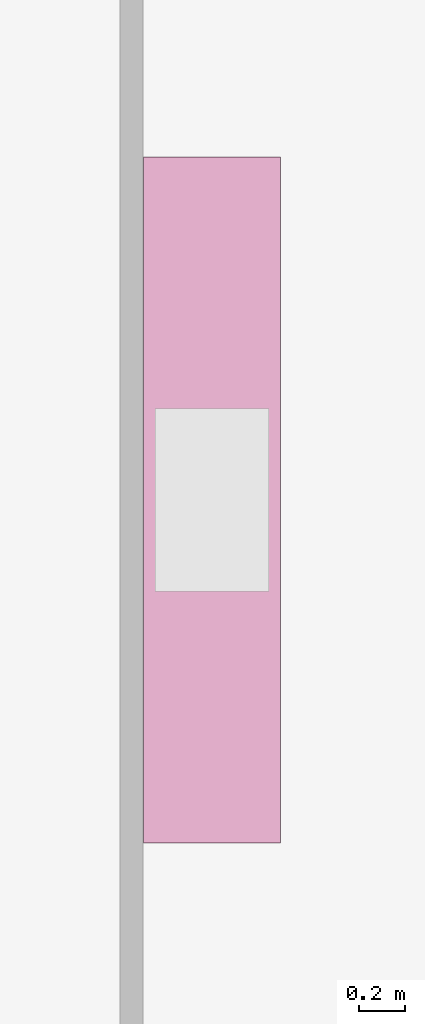
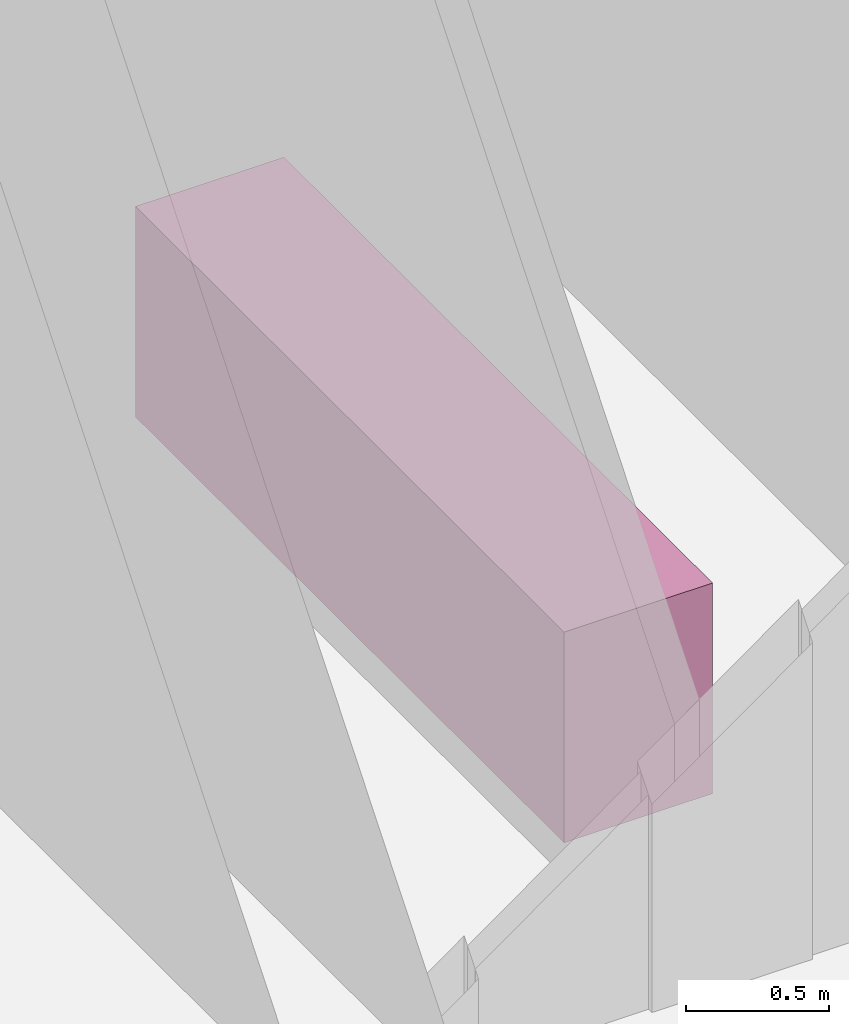
# One storey, part 18 of 18: 1 furniture element.
"""IFC4 building model written with IfcOpenShell, lengths in metres."""

import ifcopenshell
import ifcopenshell.guid

model = None  # the IFC model being written
_history = None  # IfcOwnerHistory: only IFC2X3 demands one
_inside = {}  # id of a spatial element -> (the spatial element, [elements in it])
_under = {}  # id of a project, library or spatial element -> (it, [spatial elements below it])
_declared = {}  # id of a project -> (the project, [libraries it declares])
_typed = {}  # id of a type object -> (the type object, [elements of that type])
_made_of = {}  # id of a material, layer set ... -> (it, [elements and type objects made of it])


def new_model(schema):
    """Start an empty IFC model of exactly this schema.

    Asked for "IFC4X3", IfcOpenShell would pick the latest addendum, in which some entities
    have other attributes; the version numbers below select the first issue.
    IFC2X3 requires an IfcOwnerHistory on every rooted entity: one is made here for all.
    """
    global model, _history
    if schema == "IFC4X3":
        model = ifcopenshell.file(schema_version=(4, 3, 0, 0))
    else:
        model = ifcopenshell.file(schema=schema)
    _inside.clear()
    _under.clear()
    _declared.clear()
    _typed.clear()
    _made_of.clear()
    _history = None
    if model.schema == "IFC2X3":
        org = make("IfcOrganization", Name="unknown")
        user = make(
            "IfcPersonAndOrganization",
            ThePerson=make("IfcPerson", FamilyName="unknown"),
            TheOrganization=org,
        )
        app = make(
            "IfcApplication",
            ApplicationDeveloper=org,
            Version="unknown",
            ApplicationFullName="unknown",
            ApplicationIdentifier="unknown",
        )
        _history = make(
            "IfcOwnerHistory",
            OwningUser=user,
            OwningApplication=app,
            ChangeAction="ADDED",
            CreationDate=0,
        )
    return model


def make(cls, **values):
    """One entity of the class cls with the attributes given. An attribute that is None is left unset."""
    return model.create_entity(
        cls, **{name: value for name, value in values.items() if value is not None}
    )


def rooted(cls, **values):
    """An entity with a GlobalId (a new one), such as an element, a storey or a relation."""
    return make(cls, GlobalId=ifcopenshell.guid.new(), OwnerHistory=_history, **values)


def si_unit(unit_type, name, prefix=None):
    """IfcSIUnit, for example si_unit("LENGTHUNIT", "METRE", prefix="MILLI")."""
    return make("IfcSIUnit", UnitType=unit_type, Prefix=prefix, Name=name)


def assignment(units):
    """IfcUnitAssignment: the units of a project."""
    return None if units is None else make("IfcUnitAssignment", Units=units)


def point(xyz):
    """IfcCartesianPoint."""
    return None if xyz is None else make("IfcCartesianPoint", Coordinates=xyz)


def direction(xyz):
    """IfcDirection."""
    return None if xyz is None else make("IfcDirection", DirectionRatios=xyz)


def frame(location, z_axis=None, x_axis=None):
    """IfcAxis2Placement3D, a coordinate frame: its origin and axes. An axis left out is left unset."""
    return make(
        "IfcAxis2Placement3D",
        Location=point(location),
        Axis=direction(z_axis),
        RefDirection=direction(x_axis),
    )


def frame_2d(location, x_axis=None):
    """IfcAxis2Placement2D, a coordinate frame in the plane: its origin and x axis."""
    return make(
        "IfcAxis2Placement2D", Location=point(location), RefDirection=direction(x_axis)
    )


def origin():
    """The frame at (0, 0, 0) with its axes left unset."""
    return frame((0.0, 0.0, 0.0))


def origin_2d():
    """The frame at (0, 0) in the plane with its x axis left unset."""
    return frame_2d((0.0, 0.0))


def place(relative_to, where):
    """IfcLocalPlacement: puts the frame where relative to a parent placement (None: the world)."""
    return make(
        "IfcLocalPlacement", PlacementRelTo=relative_to, RelativePlacement=where
    )


def context(
    kind, dimensions, precision=None, world=None, true_north=None, identifier=None
):
    """IfcGeometricRepresentationContext, for example the 3D "Model" context."""
    return make(
        "IfcGeometricRepresentationContext",
        ContextIdentifier=identifier,
        ContextType=kind,
        CoordinateSpaceDimension=dimensions,
        Precision=precision,
        WorldCoordinateSystem=world,
        TrueNorth=true_north,
    )


def subcontext(parent, identifier, kind, view, scale=None):
    """IfcGeometricRepresentationSubContext, for example "Body" below "Model"."""
    return make(
        "IfcGeometricRepresentationSubContext",
        ContextIdentifier=identifier,
        ContextType=kind,
        ParentContext=parent,
        TargetScale=scale,
        TargetView=view,
    )


def project(units=None, contexts=None):
    """IfcProject with its units and contexts."""
    return rooted(
        "IfcProject",
        Name="project",
        RepresentationContexts=contexts,
        UnitsInContext=assignment(units),
    )


def spatial(cls, under=None, at=None, **own):
    """A site, building, storey or space (cls), placed at a placement, below another one or the project."""
    s = rooted(cls, ObjectPlacement=at, **own)
    if under is not None:
        _under.setdefault(under.id(), (under, []))[1].append(s)
    return s


def profile(cls, at=None, kind="AREA", **sizes):
    """A parametric profile (cls). Its sizes go by their IFC names, for example OverallWidth=200.0."""
    return make(cls, ProfileType=kind, Position=at, **sizes)


def rectangle(**sizes):
    """IfcRectangleProfileDef."""
    return profile("IfcRectangleProfileDef", **sizes)


def extrude(swept, where, along, depth):
    """IfcExtrudedAreaSolid: the profile swept, set in the frame where, extruded along a direction by depth."""
    return make(
        "IfcExtrudedAreaSolid",
        SweptArea=swept,
        Position=where,
        ExtrudedDirection=direction(along),
        Depth=depth,
    )


def shape(context_of_items, identifier, shape_type, items):
    """IfcShapeRepresentation: the items that make up one representation, for example the "Body"."""
    return make(
        "IfcShapeRepresentation",
        ContextOfItems=context_of_items,
        RepresentationIdentifier=identifier,
        RepresentationType=shape_type,
        Items=items,
    )


def material(Name=None, Category=None):
    """IfcMaterial."""
    return make("IfcMaterial", Name=Name, Category=Category)


def made_of(thing, what):
    """Note that an element or type object is made of a material, layer set ...; save() writes the relation."""
    if what is not None:
        _made_of.setdefault(what.id(), (what, []))[1].append(thing)
    return thing


def type_object(cls, material=None, **own):
    """A type object (cls), such as IfcWallType, which elements share."""
    return made_of(rooted(cls, **own), material)


def element(
    cls,
    number,
    at=None,
    inside=None,
    cuts=None,
    type_object=None,
    material=None,
    context=None,
    identifier="Body",
    shape_type=None,
    held_by="IfcProductDefinitionShape",
    body=None,
    shapes=None,
    **own,
):
    """One element of the class cls, such as IfcWall. Its Tag is "e" and its number.

    at: its placement. inside: the storey or other place that contains it. cuts: it is an
    opening in that element (IfcRelVoidsElement). A single representation is given by context,
    identifier, shape_type and body (its items); several are given by shapes. held_by: the class
    of the entity that holds the representations. save() writes the other relations.
    """
    e = rooted(cls, Tag="e%d" % number, ObjectPlacement=at, **own)
    if body is not None:
        shapes = [shape(context, identifier, shape_type, body)]
    if shapes is not None:
        e.Representation = make(held_by, Representations=shapes)
    if inside is not None:
        _inside.setdefault(inside.id(), (inside, []))[1].append(e)
    if cuts is not None:
        rooted(
            "IfcRelVoidsElement", RelatingBuildingElement=cuts, RelatedOpeningElement=e
        )
    if type_object is not None:
        _typed.setdefault(type_object.id(), (type_object, []))[1].append(e)
    return made_of(e, material)


def aggregate(whole, parts):
    """IfcRelAggregates: a whole, such as a stair, and the parts it consists of."""
    return rooted("IfcRelAggregates", RelatingObject=whole, RelatedObjects=parts)


def save(model, path):
    """Write the relations noted so far, then the file.

    IfcRelAggregates (storeys below a building ...), IfcRelContainedInSpatialStructure (elements
    in a storey), IfcRelDefinesByType, IfcRelAssociatesMaterial and IfcRelDeclares: one each for
    every whole, place, type object, material and project.
    """
    for whole, parts in _under.values():
        aggregate(whole, parts)
    for where, things in _inside.values():
        rooted(
            "IfcRelContainedInSpatialStructure",
            RelatedElements=things,
            RelatingStructure=where,
        )
    for kind, things in _typed.values():
        rooted("IfcRelDefinesByType", RelatedObjects=things, RelatingType=kind)
    for what, things in _made_of.values():
        rooted("IfcRelAssociatesMaterial", RelatedObjects=things, RelatingMaterial=what)
    for by, libraries in _declared.values():
        rooted("IfcRelDeclares", RelatingContext=by, RelatedDefinitions=libraries)
    model.write(path)


model = new_model("IFC4")

# Units and contexts
model_context = context("Model", 3, precision=1e-05, world=origin(), true_north=direction((0.0, 1.0)))
body_context = subcontext(model_context, "Body", "Model", "MODEL_VIEW")
ifc_project = project(units=[si_unit("LENGTHUNIT", "METRE"), si_unit("AREAUNIT", "SQUARE_METRE"), si_unit("VOLUMEUNIT", "CUBIC_METRE"), si_unit("PLANEANGLEUNIT", "RADIAN"), si_unit("MASSUNIT", "GRAM", prefix="KILO")], contexts=[model_context])

# Site, building, storey
site_placement = place(None, origin())
site = spatial("IfcSite", under=ifc_project, at=site_placement, CompositionType="ELEMENT")
building_placement = place(site_placement, origin())
building = spatial("IfcBuilding", under=site, at=building_placement, Name="Kvirike Care Tower", CompositionType="ELEMENT")
storey_placement = place(building_placement, frame((0.0, 0.0, 79.5)))
storey = spatial("IfcBuildingStorey", under=building, at=storey_placement, Name="L21", CompositionType="ELEMENT", Elevation=79.5)

# Furniture
ifc_material = material(Name="Laminated board", Category="wood")
furniture_type = type_object("IfcFurnitureType", Name="KITCHEN UNIT RUN 600", AssemblyPlace="FACTORY", PredefinedType="USERDEFINED", material=ifc_material)
furniture_placement = place(storey_placement, frame((16.052001953125, 39.60009765625, 0.0), z_axis=(0.0, 0.0, 1.0), x_axis=(0.0, 1.0, 0.0)))
element("IfcFurniture", 1, at=furniture_placement, inside=storey, type_object=furniture_type, Name="Kitchen unit run L21-023", ObjectType="KITCHEN UNIT", PredefinedType="USERDEFINED", context=body_context, shape_type="SweptSolid", body=[
    extrude(rectangle(XDim=3.0, YDim=0.60009765625, at=origin_2d()), origin(), (0.0, 0.0, 1.0), 0.89990234375),
])

save(model, "model.ifc")
